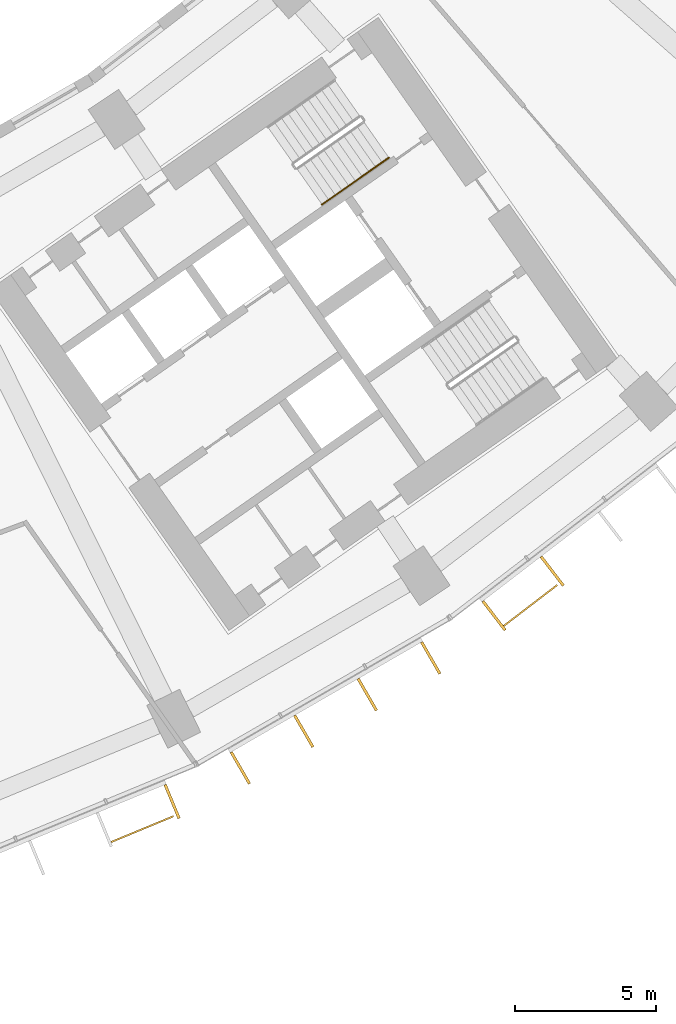
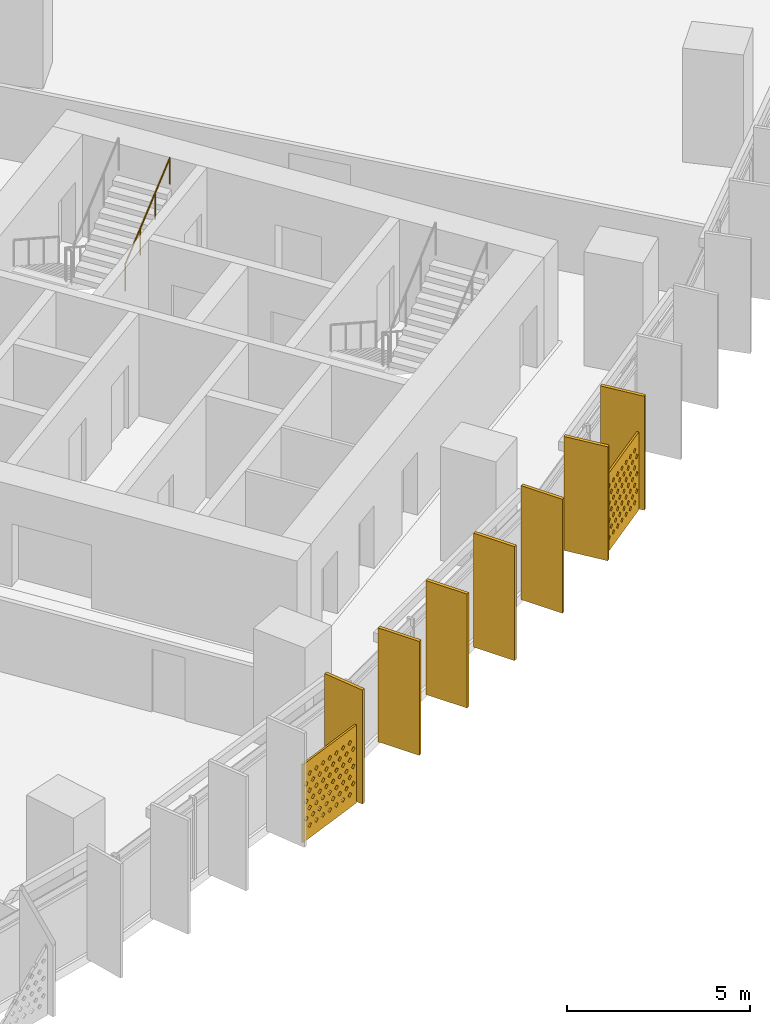
# One storey, part 29 of 31: 9 shading devices, 1 railing.
"""IFC4 building model written with IfcOpenShell, lengths in metres."""

from ifc_helpers import new_model, si_unit, direction, frame, origin, origin_2d, place, context, subcontext, project, spatial, polyline, rectangle, circle, outline, extrude, material, material_profile, profile_set, type_object, element, save


model = new_model("IFC4")

# Units and contexts
model_context = context("Model", 3, precision=1e-05, world=origin(), true_north=direction((0.0, 1.0)))
body_context = subcontext(model_context, "Body", "Model", "MODEL_VIEW")
ifc_project = project(units=[si_unit("LENGTHUNIT", "METRE"), si_unit("AREAUNIT", "SQUARE_METRE"), si_unit("VOLUMEUNIT", "CUBIC_METRE"), si_unit("PLANEANGLEUNIT", "RADIAN"), si_unit("MASSUNIT", "GRAM", prefix="KILO")], contexts=[model_context])

# Site, building, storey
site_placement = place(None, origin())
site = spatial("IfcSite", under=ifc_project, at=site_placement, CompositionType="ELEMENT")
building_placement = place(site_placement, origin())
building = spatial("IfcBuilding", under=site, at=building_placement, Name="Qamariyya Broadcast Tower", CompositionType="ELEMENT")
storey_placement = place(building_placement, frame((0.0, 0.0, 86.10009765625)))
storey = spatial("IfcBuildingStorey", under=building, at=storey_placement, Name="L18", CompositionType="ELEMENT", Elevation=86.10009765625)

# Shading devices
ifc_material_1 = material(Name="Perforated glazed terracotta", Category="masonry")
ifc_material_profile_1 = material_profile(ifc_material_1, outline(polyline([(-1.199951171875, -1.300048828125), (1.199951171875, -1.300048828125), (1.199951171875, 1.300048828125), (-1.199951171875, 1.300048828125), (-1.199951171875, -1.300048828125)]), holes=[polyline([(-0.81494140625, -0.86669921875), (-0.89990234375, -0.78173828125), (-0.985107421875, -0.86669921875), (-0.89990234375, -0.95166015625), (-0.81494140625, -0.86669921875)]), polyline([(-0.514892578125, -0.86669921875), (-0.60009765625, -0.78173828125), (-0.68505859375, -0.86669921875), (-0.60009765625, -0.95166015625), (-0.514892578125, -0.86669921875)]), polyline([(-0.215087890625, -0.86669921875), (-0.300048828125, -0.78173828125), (-0.385009765625, -0.86669921875), (-0.300048828125, -0.95166015625), (-0.215087890625, -0.86669921875)]), polyline([(0.0849609375, -0.86669921875), (0.0, -0.78173828125), (-0.0849609375, -0.86669921875), (0.0, -0.95166015625), (0.0849609375, -0.86669921875)]), polyline([(0.385009765625, -0.86669921875), (0.300048828125, -0.78173828125), (0.215087890625, -0.86669921875), (0.300048828125, -0.95166015625), (0.385009765625, -0.86669921875)]), polyline([(0.68505859375, -0.86669921875), (0.60009765625, -0.78173828125), (0.514892578125, -0.86669921875), (0.60009765625, -0.95166015625), (0.68505859375, -0.86669921875)]), polyline([(0.985107421875, -0.86669921875), (0.89990234375, -0.78173828125), (0.81494140625, -0.86669921875), (0.89990234375, -0.95166015625), (0.985107421875, -0.86669921875)]), polyline([(-0.965087890625, -0.577880859375), (-1.050048828125, -0.49267578125), (-1.135009765625, -0.577880859375), (-1.050048828125, -0.662841796875), (-0.965087890625, -0.577880859375)]), polyline([(-0.6650390625, -0.577880859375), (-0.75, -0.49267578125), (-0.8349609375, -0.577880859375), (-0.75, -0.662841796875), (-0.6650390625, -0.577880859375)]), polyline([(-0.364990234375, -0.577880859375), (-0.449951171875, -0.49267578125), (-0.534912109375, -0.577880859375), (-0.449951171875, -0.662841796875), (-0.364990234375, -0.577880859375)]), polyline([(-0.06494140625, -0.577880859375), (-0.14990234375, -0.49267578125), (-0.235107421875, -0.577880859375), (-0.14990234375, -0.662841796875), (-0.06494140625, -0.577880859375)]), polyline([(0.235107421875, -0.577880859375), (0.14990234375, -0.49267578125), (0.06494140625, -0.577880859375), (0.14990234375, -0.662841796875), (0.235107421875, -0.577880859375)]), polyline([(0.534912109375, -0.577880859375), (0.449951171875, -0.49267578125), (0.364990234375, -0.577880859375), (0.449951171875, -0.662841796875), (0.534912109375, -0.577880859375)]), polyline([(0.8349609375, -0.577880859375), (0.75, -0.49267578125), (0.6650390625, -0.577880859375), (0.75, -0.662841796875), (0.8349609375, -0.577880859375)]), polyline([(1.135009765625, -0.577880859375), (1.050048828125, -0.49267578125), (0.965087890625, -0.577880859375), (1.050048828125, -0.662841796875), (1.135009765625, -0.577880859375)]), polyline([(-0.81494140625, -0.288818359375), (-0.89990234375, -0.203857421875), (-0.985107421875, -0.288818359375), (-0.89990234375, -0.373779296875), (-0.81494140625, -0.288818359375)]), polyline([(-0.514892578125, -0.288818359375), (-0.60009765625, -0.203857421875), (-0.68505859375, -0.288818359375), (-0.60009765625, -0.373779296875), (-0.514892578125, -0.288818359375)]), polyline([(-0.215087890625, -0.288818359375), (-0.300048828125, -0.203857421875), (-0.385009765625, -0.288818359375), (-0.300048828125, -0.373779296875), (-0.215087890625, -0.288818359375)]), polyline([(0.0849609375, -0.288818359375), (0.0, -0.203857421875), (-0.0849609375, -0.288818359375), (0.0, -0.373779296875), (0.0849609375, -0.288818359375)]), polyline([(0.385009765625, -0.288818359375), (0.300048828125, -0.203857421875), (0.215087890625, -0.288818359375), (0.300048828125, -0.373779296875), (0.385009765625, -0.288818359375)]), polyline([(0.68505859375, -0.288818359375), (0.60009765625, -0.203857421875), (0.514892578125, -0.288818359375), (0.60009765625, -0.373779296875), (0.68505859375, -0.288818359375)]), polyline([(0.985107421875, -0.288818359375), (0.89990234375, -0.203857421875), (0.81494140625, -0.288818359375), (0.89990234375, -0.373779296875), (0.985107421875, -0.288818359375)]), polyline([(-0.965087890625, 0.0), (-1.050048828125, 0.0849609375), (-1.135009765625, 0.0), (-1.050048828125, -0.0849609375), (-0.965087890625, 0.0)]), polyline([(-0.6650390625, 0.0), (-0.75, 0.0849609375), (-0.8349609375, 0.0), (-0.75, -0.0849609375), (-0.6650390625, 0.0)]), polyline([(-0.364990234375, 0.0), (-0.449951171875, 0.0849609375), (-0.534912109375, 0.0), (-0.449951171875, -0.0849609375), (-0.364990234375, 0.0)]), polyline([(-0.06494140625, 0.0), (-0.14990234375, 0.0849609375), (-0.235107421875, 0.0), (-0.14990234375, -0.0849609375), (-0.06494140625, 0.0)]), polyline([(0.235107421875, 0.0), (0.14990234375, 0.0849609375), (0.06494140625, 0.0), (0.14990234375, -0.0849609375), (0.235107421875, 0.0)]), polyline([(0.534912109375, 0.0), (0.449951171875, 0.0849609375), (0.364990234375, 0.0), (0.449951171875, -0.0849609375), (0.534912109375, 0.0)]), polyline([(0.8349609375, 0.0), (0.75, 0.0849609375), (0.6650390625, 0.0), (0.75, -0.0849609375), (0.8349609375, 0.0)]), polyline([(1.135009765625, 0.0), (1.050048828125, 0.0849609375), (0.965087890625, 0.0), (1.050048828125, -0.0849609375), (1.135009765625, 0.0)]), polyline([(-0.81494140625, 0.288818359375), (-0.89990234375, 0.373779296875), (-0.985107421875, 0.288818359375), (-0.89990234375, 0.203857421875), (-0.81494140625, 0.288818359375)]), polyline([(-0.514892578125, 0.288818359375), (-0.60009765625, 0.373779296875), (-0.68505859375, 0.288818359375), (-0.60009765625, 0.203857421875), (-0.514892578125, 0.288818359375)]), polyline([(-0.215087890625, 0.288818359375), (-0.300048828125, 0.373779296875), (-0.385009765625, 0.288818359375), (-0.300048828125, 0.203857421875), (-0.215087890625, 0.288818359375)]), polyline([(0.0849609375, 0.288818359375), (0.0, 0.373779296875), (-0.0849609375, 0.288818359375), (0.0, 0.203857421875), (0.0849609375, 0.288818359375)]), polyline([(0.385009765625, 0.288818359375), (0.300048828125, 0.373779296875), (0.215087890625, 0.288818359375), (0.300048828125, 0.203857421875), (0.385009765625, 0.288818359375)]), polyline([(0.68505859375, 0.288818359375), (0.60009765625, 0.373779296875), (0.514892578125, 0.288818359375), (0.60009765625, 0.203857421875), (0.68505859375, 0.288818359375)]), polyline([(0.985107421875, 0.288818359375), (0.89990234375, 0.373779296875), (0.81494140625, 0.288818359375), (0.89990234375, 0.203857421875), (0.985107421875, 0.288818359375)]), polyline([(-0.965087890625, 0.577880859375), (-1.050048828125, 0.662841796875), (-1.135009765625, 0.577880859375), (-1.050048828125, 0.49267578125), (-0.965087890625, 0.577880859375)]), polyline([(-0.6650390625, 0.577880859375), (-0.75, 0.662841796875), (-0.8349609375, 0.577880859375), (-0.75, 0.49267578125), (-0.6650390625, 0.577880859375)]), polyline([(-0.364990234375, 0.577880859375), (-0.449951171875, 0.662841796875), (-0.534912109375, 0.577880859375), (-0.449951171875, 0.49267578125), (-0.364990234375, 0.577880859375)]), polyline([(-0.06494140625, 0.577880859375), (-0.14990234375, 0.662841796875), (-0.235107421875, 0.577880859375), (-0.14990234375, 0.49267578125), (-0.06494140625, 0.577880859375)]), polyline([(0.235107421875, 0.577880859375), (0.14990234375, 0.662841796875), (0.06494140625, 0.577880859375), (0.14990234375, 0.49267578125), (0.235107421875, 0.577880859375)]), polyline([(0.534912109375, 0.577880859375), (0.449951171875, 0.662841796875), (0.364990234375, 0.577880859375), (0.449951171875, 0.49267578125), (0.534912109375, 0.577880859375)]), polyline([(0.8349609375, 0.577880859375), (0.75, 0.662841796875), (0.6650390625, 0.577880859375), (0.75, 0.49267578125), (0.8349609375, 0.577880859375)]), polyline([(1.135009765625, 0.577880859375), (1.050048828125, 0.662841796875), (0.965087890625, 0.577880859375), (1.050048828125, 0.49267578125), (1.135009765625, 0.577880859375)]), polyline([(-0.81494140625, 0.86669921875), (-0.89990234375, 0.95166015625), (-0.985107421875, 0.86669921875), (-0.89990234375, 0.78173828125), (-0.81494140625, 0.86669921875)]), polyline([(-0.514892578125, 0.86669921875), (-0.60009765625, 0.95166015625), (-0.68505859375, 0.86669921875), (-0.60009765625, 0.78173828125), (-0.514892578125, 0.86669921875)]), polyline([(-0.215087890625, 0.86669921875), (-0.300048828125, 0.95166015625), (-0.385009765625, 0.86669921875), (-0.300048828125, 0.78173828125), (-0.215087890625, 0.86669921875)]), polyline([(0.0849609375, 0.86669921875), (0.0, 0.95166015625), (-0.0849609375, 0.86669921875), (0.0, 0.78173828125), (0.0849609375, 0.86669921875)]), polyline([(0.385009765625, 0.86669921875), (0.300048828125, 0.95166015625), (0.215087890625, 0.86669921875), (0.300048828125, 0.78173828125), (0.385009765625, 0.86669921875)]), polyline([(0.68505859375, 0.86669921875), (0.60009765625, 0.95166015625), (0.514892578125, 0.86669921875), (0.60009765625, 0.78173828125), (0.68505859375, 0.86669921875)]), polyline([(0.985107421875, 0.86669921875), (0.89990234375, 0.95166015625), (0.81494140625, 0.86669921875), (0.89990234375, 0.78173828125), (0.985107421875, 0.86669921875)])]))
ifc_profile_set_1 = profile_set([ifc_material_profile_1], Name="Perforated glazed terracotta")
shading_device_type_1 = type_object("IfcShadingDeviceType", Name="Perforated terracotta screen 2400 x 2600", PredefinedType="USERDEFINED", material=ifc_profile_set_1)
shading_device_1_placement = place(storey_placement, frame((33.259521484375, -73.6259765625, 1.349853515625), z_axis=(0.382591441855, -0.923917630863, 0.0), x_axis=(0.923917630863, 0.382591441855, 0.0)))
element("IfcShadingDevice", 1, at=shading_device_1_placement, inside=storey, type_object=shading_device_type_1, Name="e-scr-L18-11-2", ObjectType="SCREEN", PredefinedType="USERDEFINED", context=body_context, shape_type="SweptSolid", body=[
    extrude(outline(polyline([(-1.199951171875, -1.300048828125), (1.199951171875, -1.300048828125), (1.199951171875, 1.300048828125), (-1.199951171875, 1.300048828125), (-1.199951171875, -1.300048828125)]), holes=[polyline([(-0.81494140625, -0.86669921875), (-0.89990234375, -0.78173828125), (-0.985107421875, -0.86669921875), (-0.89990234375, -0.95166015625), (-0.81494140625, -0.86669921875)]), polyline([(-0.514892578125, -0.86669921875), (-0.60009765625, -0.78173828125), (-0.68505859375, -0.86669921875), (-0.60009765625, -0.95166015625), (-0.514892578125, -0.86669921875)]), polyline([(-0.215087890625, -0.86669921875), (-0.300048828125, -0.78173828125), (-0.385009765625, -0.86669921875), (-0.300048828125, -0.95166015625), (-0.215087890625, -0.86669921875)]), polyline([(0.0849609375, -0.86669921875), (0.0, -0.78173828125), (-0.0849609375, -0.86669921875), (0.0, -0.95166015625), (0.0849609375, -0.86669921875)]), polyline([(0.385009765625, -0.86669921875), (0.300048828125, -0.78173828125), (0.215087890625, -0.86669921875), (0.300048828125, -0.95166015625), (0.385009765625, -0.86669921875)]), polyline([(0.68505859375, -0.86669921875), (0.60009765625, -0.78173828125), (0.514892578125, -0.86669921875), (0.60009765625, -0.95166015625), (0.68505859375, -0.86669921875)]), polyline([(0.985107421875, -0.86669921875), (0.89990234375, -0.78173828125), (0.81494140625, -0.86669921875), (0.89990234375, -0.95166015625), (0.985107421875, -0.86669921875)]), polyline([(-0.965087890625, -0.577880859375), (-1.050048828125, -0.49267578125), (-1.135009765625, -0.577880859375), (-1.050048828125, -0.662841796875), (-0.965087890625, -0.577880859375)]), polyline([(-0.6650390625, -0.577880859375), (-0.75, -0.49267578125), (-0.8349609375, -0.577880859375), (-0.75, -0.662841796875), (-0.6650390625, -0.577880859375)]), polyline([(-0.364990234375, -0.577880859375), (-0.449951171875, -0.49267578125), (-0.534912109375, -0.577880859375), (-0.449951171875, -0.662841796875), (-0.364990234375, -0.577880859375)]), polyline([(-0.06494140625, -0.577880859375), (-0.14990234375, -0.49267578125), (-0.235107421875, -0.577880859375), (-0.14990234375, -0.662841796875), (-0.06494140625, -0.577880859375)]), polyline([(0.235107421875, -0.577880859375), (0.14990234375, -0.49267578125), (0.06494140625, -0.577880859375), (0.14990234375, -0.662841796875), (0.235107421875, -0.577880859375)]), polyline([(0.534912109375, -0.577880859375), (0.449951171875, -0.49267578125), (0.364990234375, -0.577880859375), (0.449951171875, -0.662841796875), (0.534912109375, -0.577880859375)]), polyline([(0.8349609375, -0.577880859375), (0.75, -0.49267578125), (0.6650390625, -0.577880859375), (0.75, -0.662841796875), (0.8349609375, -0.577880859375)]), polyline([(1.135009765625, -0.577880859375), (1.050048828125, -0.49267578125), (0.965087890625, -0.577880859375), (1.050048828125, -0.662841796875), (1.135009765625, -0.577880859375)]), polyline([(-0.81494140625, -0.288818359375), (-0.89990234375, -0.203857421875), (-0.985107421875, -0.288818359375), (-0.89990234375, -0.373779296875), (-0.81494140625, -0.288818359375)]), polyline([(-0.514892578125, -0.288818359375), (-0.60009765625, -0.203857421875), (-0.68505859375, -0.288818359375), (-0.60009765625, -0.373779296875), (-0.514892578125, -0.288818359375)]), polyline([(-0.215087890625, -0.288818359375), (-0.300048828125, -0.203857421875), (-0.385009765625, -0.288818359375), (-0.300048828125, -0.373779296875), (-0.215087890625, -0.288818359375)]), polyline([(0.0849609375, -0.288818359375), (0.0, -0.203857421875), (-0.0849609375, -0.288818359375), (0.0, -0.373779296875), (0.0849609375, -0.288818359375)]), polyline([(0.385009765625, -0.288818359375), (0.300048828125, -0.203857421875), (0.215087890625, -0.288818359375), (0.300048828125, -0.373779296875), (0.385009765625, -0.288818359375)]), polyline([(0.68505859375, -0.288818359375), (0.60009765625, -0.203857421875), (0.514892578125, -0.288818359375), (0.60009765625, -0.373779296875), (0.68505859375, -0.288818359375)]), polyline([(0.985107421875, -0.288818359375), (0.89990234375, -0.203857421875), (0.81494140625, -0.288818359375), (0.89990234375, -0.373779296875), (0.985107421875, -0.288818359375)]), polyline([(-0.965087890625, 0.0), (-1.050048828125, 0.0849609375), (-1.135009765625, 0.0), (-1.050048828125, -0.0849609375), (-0.965087890625, 0.0)]), polyline([(-0.6650390625, 0.0), (-0.75, 0.0849609375), (-0.8349609375, 0.0), (-0.75, -0.0849609375), (-0.6650390625, 0.0)]), polyline([(-0.364990234375, 0.0), (-0.449951171875, 0.0849609375), (-0.534912109375, 0.0), (-0.449951171875, -0.0849609375), (-0.364990234375, 0.0)]), polyline([(-0.06494140625, 0.0), (-0.14990234375, 0.0849609375), (-0.235107421875, 0.0), (-0.14990234375, -0.0849609375), (-0.06494140625, 0.0)]), polyline([(0.235107421875, 0.0), (0.14990234375, 0.0849609375), (0.06494140625, 0.0), (0.14990234375, -0.0849609375), (0.235107421875, 0.0)]), polyline([(0.534912109375, 0.0), (0.449951171875, 0.0849609375), (0.364990234375, 0.0), (0.449951171875, -0.0849609375), (0.534912109375, 0.0)]), polyline([(0.8349609375, 0.0), (0.75, 0.0849609375), (0.6650390625, 0.0), (0.75, -0.0849609375), (0.8349609375, 0.0)]), polyline([(1.135009765625, 0.0), (1.050048828125, 0.0849609375), (0.965087890625, 0.0), (1.050048828125, -0.0849609375), (1.135009765625, 0.0)]), polyline([(-0.81494140625, 0.288818359375), (-0.89990234375, 0.373779296875), (-0.985107421875, 0.288818359375), (-0.89990234375, 0.203857421875), (-0.81494140625, 0.288818359375)]), polyline([(-0.514892578125, 0.288818359375), (-0.60009765625, 0.373779296875), (-0.68505859375, 0.288818359375), (-0.60009765625, 0.203857421875), (-0.514892578125, 0.288818359375)]), polyline([(-0.215087890625, 0.288818359375), (-0.300048828125, 0.373779296875), (-0.385009765625, 0.288818359375), (-0.300048828125, 0.203857421875), (-0.215087890625, 0.288818359375)]), polyline([(0.0849609375, 0.288818359375), (0.0, 0.373779296875), (-0.0849609375, 0.288818359375), (0.0, 0.203857421875), (0.0849609375, 0.288818359375)]), polyline([(0.385009765625, 0.288818359375), (0.300048828125, 0.373779296875), (0.215087890625, 0.288818359375), (0.300048828125, 0.203857421875), (0.385009765625, 0.288818359375)]), polyline([(0.68505859375, 0.288818359375), (0.60009765625, 0.373779296875), (0.514892578125, 0.288818359375), (0.60009765625, 0.203857421875), (0.68505859375, 0.288818359375)]), polyline([(0.985107421875, 0.288818359375), (0.89990234375, 0.373779296875), (0.81494140625, 0.288818359375), (0.89990234375, 0.203857421875), (0.985107421875, 0.288818359375)]), polyline([(-0.965087890625, 0.577880859375), (-1.050048828125, 0.662841796875), (-1.135009765625, 0.577880859375), (-1.050048828125, 0.49267578125), (-0.965087890625, 0.577880859375)]), polyline([(-0.6650390625, 0.577880859375), (-0.75, 0.662841796875), (-0.8349609375, 0.577880859375), (-0.75, 0.49267578125), (-0.6650390625, 0.577880859375)]), polyline([(-0.364990234375, 0.577880859375), (-0.449951171875, 0.662841796875), (-0.534912109375, 0.577880859375), (-0.449951171875, 0.49267578125), (-0.364990234375, 0.577880859375)]), polyline([(-0.06494140625, 0.577880859375), (-0.14990234375, 0.662841796875), (-0.235107421875, 0.577880859375), (-0.14990234375, 0.49267578125), (-0.06494140625, 0.577880859375)]), polyline([(0.235107421875, 0.577880859375), (0.14990234375, 0.662841796875), (0.06494140625, 0.577880859375), (0.14990234375, 0.49267578125), (0.235107421875, 0.577880859375)]), polyline([(0.534912109375, 0.577880859375), (0.449951171875, 0.662841796875), (0.364990234375, 0.577880859375), (0.449951171875, 0.49267578125), (0.534912109375, 0.577880859375)]), polyline([(0.8349609375, 0.577880859375), (0.75, 0.662841796875), (0.6650390625, 0.577880859375), (0.75, 0.49267578125), (0.8349609375, 0.577880859375)]), polyline([(1.135009765625, 0.577880859375), (1.050048828125, 0.662841796875), (0.965087890625, 0.577880859375), (1.050048828125, 0.49267578125), (1.135009765625, 0.577880859375)]), polyline([(-0.81494140625, 0.86669921875), (-0.89990234375, 0.95166015625), (-0.985107421875, 0.86669921875), (-0.89990234375, 0.78173828125), (-0.81494140625, 0.86669921875)]), polyline([(-0.514892578125, 0.86669921875), (-0.60009765625, 0.95166015625), (-0.68505859375, 0.86669921875), (-0.60009765625, 0.78173828125), (-0.514892578125, 0.86669921875)]), polyline([(-0.215087890625, 0.86669921875), (-0.300048828125, 0.95166015625), (-0.385009765625, 0.86669921875), (-0.300048828125, 0.78173828125), (-0.215087890625, 0.86669921875)]), polyline([(0.0849609375, 0.86669921875), (0.0, 0.95166015625), (-0.0849609375, 0.86669921875), (0.0, 0.78173828125), (0.0849609375, 0.86669921875)]), polyline([(0.385009765625, 0.86669921875), (0.300048828125, 0.95166015625), (0.215087890625, 0.86669921875), (0.300048828125, 0.78173828125), (0.385009765625, 0.86669921875)]), polyline([(0.68505859375, 0.86669921875), (0.60009765625, 0.95166015625), (0.514892578125, 0.86669921875), (0.60009765625, 0.78173828125), (0.68505859375, 0.86669921875)]), polyline([(0.985107421875, 0.86669921875), (0.89990234375, 0.95166015625), (0.81494140625, 0.86669921875), (0.89990234375, 0.78173828125), (0.985107421875, 0.86669921875)])]), origin(), (0.0, 0.0, 1.0), 0.06005859375),
])
shading_device_2_placement = place(storey_placement, frame((47.04931640625, -65.680419921875, 1.349853515625), z_axis=(0.607147566278, -0.794589096806, 0.0), x_axis=(0.794589096806, 0.607147566278, 0.0)))
element("IfcShadingDevice", 2, at=shading_device_2_placement, inside=storey, type_object=shading_device_type_1, Name="e-scr-L18-13-0", ObjectType="SCREEN", PredefinedType="USERDEFINED", context=body_context, shape_type="SweptSolid", body=[
    extrude(outline(polyline([(-1.199951171875, -1.300048828125), (1.199951171875, -1.300048828125), (1.199951171875, 1.300048828125), (-1.199951171875, 1.300048828125), (-1.199951171875, -1.300048828125)]), holes=[polyline([(-0.81494140625, -0.86669921875), (-0.89990234375, -0.78173828125), (-0.985107421875, -0.86669921875), (-0.89990234375, -0.95166015625), (-0.81494140625, -0.86669921875)]), polyline([(-0.514892578125, -0.86669921875), (-0.60009765625, -0.78173828125), (-0.68505859375, -0.86669921875), (-0.60009765625, -0.95166015625), (-0.514892578125, -0.86669921875)]), polyline([(-0.215087890625, -0.86669921875), (-0.300048828125, -0.78173828125), (-0.385009765625, -0.86669921875), (-0.300048828125, -0.95166015625), (-0.215087890625, -0.86669921875)]), polyline([(0.0849609375, -0.86669921875), (0.0, -0.78173828125), (-0.0849609375, -0.86669921875), (0.0, -0.95166015625), (0.0849609375, -0.86669921875)]), polyline([(0.385009765625, -0.86669921875), (0.300048828125, -0.78173828125), (0.215087890625, -0.86669921875), (0.300048828125, -0.95166015625), (0.385009765625, -0.86669921875)]), polyline([(0.68505859375, -0.86669921875), (0.60009765625, -0.78173828125), (0.514892578125, -0.86669921875), (0.60009765625, -0.95166015625), (0.68505859375, -0.86669921875)]), polyline([(0.985107421875, -0.86669921875), (0.89990234375, -0.78173828125), (0.81494140625, -0.86669921875), (0.89990234375, -0.95166015625), (0.985107421875, -0.86669921875)]), polyline([(-0.965087890625, -0.577880859375), (-1.050048828125, -0.49267578125), (-1.135009765625, -0.577880859375), (-1.050048828125, -0.662841796875), (-0.965087890625, -0.577880859375)]), polyline([(-0.6650390625, -0.577880859375), (-0.75, -0.49267578125), (-0.8349609375, -0.577880859375), (-0.75, -0.662841796875), (-0.6650390625, -0.577880859375)]), polyline([(-0.364990234375, -0.577880859375), (-0.449951171875, -0.49267578125), (-0.534912109375, -0.577880859375), (-0.449951171875, -0.662841796875), (-0.364990234375, -0.577880859375)]), polyline([(-0.06494140625, -0.577880859375), (-0.14990234375, -0.49267578125), (-0.235107421875, -0.577880859375), (-0.14990234375, -0.662841796875), (-0.06494140625, -0.577880859375)]), polyline([(0.235107421875, -0.577880859375), (0.14990234375, -0.49267578125), (0.06494140625, -0.577880859375), (0.14990234375, -0.662841796875), (0.235107421875, -0.577880859375)]), polyline([(0.534912109375, -0.577880859375), (0.449951171875, -0.49267578125), (0.364990234375, -0.577880859375), (0.449951171875, -0.662841796875), (0.534912109375, -0.577880859375)]), polyline([(0.8349609375, -0.577880859375), (0.75, -0.49267578125), (0.6650390625, -0.577880859375), (0.75, -0.662841796875), (0.8349609375, -0.577880859375)]), polyline([(1.135009765625, -0.577880859375), (1.050048828125, -0.49267578125), (0.965087890625, -0.577880859375), (1.050048828125, -0.662841796875), (1.135009765625, -0.577880859375)]), polyline([(-0.81494140625, -0.288818359375), (-0.89990234375, -0.203857421875), (-0.985107421875, -0.288818359375), (-0.89990234375, -0.373779296875), (-0.81494140625, -0.288818359375)]), polyline([(-0.514892578125, -0.288818359375), (-0.60009765625, -0.203857421875), (-0.68505859375, -0.288818359375), (-0.60009765625, -0.373779296875), (-0.514892578125, -0.288818359375)]), polyline([(-0.215087890625, -0.288818359375), (-0.300048828125, -0.203857421875), (-0.385009765625, -0.288818359375), (-0.300048828125, -0.373779296875), (-0.215087890625, -0.288818359375)]), polyline([(0.0849609375, -0.288818359375), (0.0, -0.203857421875), (-0.0849609375, -0.288818359375), (0.0, -0.373779296875), (0.0849609375, -0.288818359375)]), polyline([(0.385009765625, -0.288818359375), (0.300048828125, -0.203857421875), (0.215087890625, -0.288818359375), (0.300048828125, -0.373779296875), (0.385009765625, -0.288818359375)]), polyline([(0.68505859375, -0.288818359375), (0.60009765625, -0.203857421875), (0.514892578125, -0.288818359375), (0.60009765625, -0.373779296875), (0.68505859375, -0.288818359375)]), polyline([(0.985107421875, -0.288818359375), (0.89990234375, -0.203857421875), (0.81494140625, -0.288818359375), (0.89990234375, -0.373779296875), (0.985107421875, -0.288818359375)]), polyline([(-0.965087890625, 0.0), (-1.050048828125, 0.0849609375), (-1.135009765625, 0.0), (-1.050048828125, -0.0849609375), (-0.965087890625, 0.0)]), polyline([(-0.6650390625, 0.0), (-0.75, 0.0849609375), (-0.8349609375, 0.0), (-0.75, -0.0849609375), (-0.6650390625, 0.0)]), polyline([(-0.364990234375, 0.0), (-0.449951171875, 0.0849609375), (-0.534912109375, 0.0), (-0.449951171875, -0.0849609375), (-0.364990234375, 0.0)]), polyline([(-0.06494140625, 0.0), (-0.14990234375, 0.0849609375), (-0.235107421875, 0.0), (-0.14990234375, -0.0849609375), (-0.06494140625, 0.0)]), polyline([(0.235107421875, 0.0), (0.14990234375, 0.0849609375), (0.06494140625, 0.0), (0.14990234375, -0.0849609375), (0.235107421875, 0.0)]), polyline([(0.534912109375, 0.0), (0.449951171875, 0.0849609375), (0.364990234375, 0.0), (0.449951171875, -0.0849609375), (0.534912109375, 0.0)]), polyline([(0.8349609375, 0.0), (0.75, 0.0849609375), (0.6650390625, 0.0), (0.75, -0.0849609375), (0.8349609375, 0.0)]), polyline([(1.135009765625, 0.0), (1.050048828125, 0.0849609375), (0.965087890625, 0.0), (1.050048828125, -0.0849609375), (1.135009765625, 0.0)]), polyline([(-0.81494140625, 0.288818359375), (-0.89990234375, 0.373779296875), (-0.985107421875, 0.288818359375), (-0.89990234375, 0.203857421875), (-0.81494140625, 0.288818359375)]), polyline([(-0.514892578125, 0.288818359375), (-0.60009765625, 0.373779296875), (-0.68505859375, 0.288818359375), (-0.60009765625, 0.203857421875), (-0.514892578125, 0.288818359375)]), polyline([(-0.215087890625, 0.288818359375), (-0.300048828125, 0.373779296875), (-0.385009765625, 0.288818359375), (-0.300048828125, 0.203857421875), (-0.215087890625, 0.288818359375)]), polyline([(0.0849609375, 0.288818359375), (0.0, 0.373779296875), (-0.0849609375, 0.288818359375), (0.0, 0.203857421875), (0.0849609375, 0.288818359375)]), polyline([(0.385009765625, 0.288818359375), (0.300048828125, 0.373779296875), (0.215087890625, 0.288818359375), (0.300048828125, 0.203857421875), (0.385009765625, 0.288818359375)]), polyline([(0.68505859375, 0.288818359375), (0.60009765625, 0.373779296875), (0.514892578125, 0.288818359375), (0.60009765625, 0.203857421875), (0.68505859375, 0.288818359375)]), polyline([(0.985107421875, 0.288818359375), (0.89990234375, 0.373779296875), (0.81494140625, 0.288818359375), (0.89990234375, 0.203857421875), (0.985107421875, 0.288818359375)]), polyline([(-0.965087890625, 0.577880859375), (-1.050048828125, 0.662841796875), (-1.135009765625, 0.577880859375), (-1.050048828125, 0.49267578125), (-0.965087890625, 0.577880859375)]), polyline([(-0.6650390625, 0.577880859375), (-0.75, 0.662841796875), (-0.8349609375, 0.577880859375), (-0.75, 0.49267578125), (-0.6650390625, 0.577880859375)]), polyline([(-0.364990234375, 0.577880859375), (-0.449951171875, 0.662841796875), (-0.534912109375, 0.577880859375), (-0.449951171875, 0.49267578125), (-0.364990234375, 0.577880859375)]), polyline([(-0.06494140625, 0.577880859375), (-0.14990234375, 0.662841796875), (-0.235107421875, 0.577880859375), (-0.14990234375, 0.49267578125), (-0.06494140625, 0.577880859375)]), polyline([(0.235107421875, 0.577880859375), (0.14990234375, 0.662841796875), (0.06494140625, 0.577880859375), (0.14990234375, 0.49267578125), (0.235107421875, 0.577880859375)]), polyline([(0.534912109375, 0.577880859375), (0.449951171875, 0.662841796875), (0.364990234375, 0.577880859375), (0.449951171875, 0.49267578125), (0.534912109375, 0.577880859375)]), polyline([(0.8349609375, 0.577880859375), (0.75, 0.662841796875), (0.6650390625, 0.577880859375), (0.75, 0.49267578125), (0.8349609375, 0.577880859375)]), polyline([(1.135009765625, 0.577880859375), (1.050048828125, 0.662841796875), (0.965087890625, 0.577880859375), (1.050048828125, 0.49267578125), (1.135009765625, 0.577880859375)]), polyline([(-0.81494140625, 0.86669921875), (-0.89990234375, 0.95166015625), (-0.985107421875, 0.86669921875), (-0.89990234375, 0.78173828125), (-0.81494140625, 0.86669921875)]), polyline([(-0.514892578125, 0.86669921875), (-0.60009765625, 0.95166015625), (-0.68505859375, 0.86669921875), (-0.60009765625, 0.78173828125), (-0.514892578125, 0.86669921875)]), polyline([(-0.215087890625, 0.86669921875), (-0.300048828125, 0.95166015625), (-0.385009765625, 0.86669921875), (-0.300048828125, 0.78173828125), (-0.215087890625, 0.86669921875)]), polyline([(0.0849609375, 0.86669921875), (0.0, 0.95166015625), (-0.0849609375, 0.86669921875), (0.0, 0.78173828125), (0.0849609375, 0.86669921875)]), polyline([(0.385009765625, 0.86669921875), (0.300048828125, 0.95166015625), (0.215087890625, 0.86669921875), (0.300048828125, 0.78173828125), (0.385009765625, 0.86669921875)]), polyline([(0.68505859375, 0.86669921875), (0.60009765625, 0.95166015625), (0.514892578125, 0.86669921875), (0.60009765625, 0.78173828125), (0.68505859375, 0.86669921875)]), polyline([(0.985107421875, 0.86669921875), (0.89990234375, 0.95166015625), (0.81494140625, 0.86669921875), (0.89990234375, 0.78173828125), (0.985107421875, 0.86669921875)])]), origin(), (0.0, 0.0, 1.0), 0.059814453125),
])

# Railing
ifc_material_2 = material(Name="Stainless steel", Category="steel")
railing_type = type_object("IfcRailingType", Name="Stair handrail", PredefinedType="HANDRAIL", material=ifc_material_2)
railing_placement = place(storey_placement, frame((39.66015625, -51.4580078125, 2.072509765625)))
element("IfcRailing", 3, at=railing_placement, inside=storey, type_object=railing_type, Name="L18 ST-E2 stair handrail 2", PredefinedType="HANDRAIL", context=body_context, shape_type="SweptSolid", body=[
    extrude(circle(Radius=0.02392578125, at=origin_2d()), frame((0.0, 0.0, 0.8759765625), z_axis=(0.703745009021, 0.492838488332, 0.511715923826), x_axis=(-0.573631830683, 0.819113253969, 0.0)), (0.0, 0.0, 1.0), 3.37548828125),
    extrude(circle(Radius=0.02099609375, at=origin_2d()), origin(), (0.0, 0.0, 1.0), 0.851806640625),
    extrude(circle(Radius=0.02099609375, at=origin_2d()), frame((0.791748046875, 0.554443359375, 0.57568359375)), (0.0, 0.0, 1.0), 0.851806640625),
    extrude(circle(Radius=0.02099609375, at=origin_2d()), frame((1.583740234375, 1.109130859375, 1.151611328125)), (0.0, 0.0, 1.0), 0.851806640625),
    extrude(circle(Radius=0.02099609375, at=origin_2d()), frame((2.37548828125, 1.66357421875, 1.727294921875)), (0.0, 0.0, 1.0), 0.851806640625),
])

# Shading devices
ifc_material_3 = material(Name="Glazed terracotta", Category="masonry")
ifc_material_profile_2 = material_profile(ifc_material_3, rectangle(XDim=1.300048828125, YDim=0.10009765625, at=origin_2d()))
ifc_profile_set_2 = profile_set([ifc_material_profile_2], Name="Glazed terracotta")
shading_device_type_2 = type_object("IfcShadingDeviceType", Name="Terracotta fin 100 x 1300", PredefinedType="USERDEFINED", material=ifc_profile_set_2)
for number, where, z_axis, x_axis, name in (
    (4, (34.331298828125, -72.67333984375, 0.0), (0.0, 0.0, 1.0), (0.382683432365, -0.923879532511, 0.0), "e-fin-L18-11-3"),
    (5, (36.756103515625, -71.4775390625, 0.0), (0.0, 0.0, 1.0), (0.5, -0.866025403784, 0.0), "e-fin-L18-12-0"),
    (6, (39.011962890625, -70.17529296875, 0.0), (0.0, 0.0, 1.0), (0.5, -0.866025403784, 0.0), "e-fin-L18-12-1"),
    (7, (41.267578125, -68.872802734375, 0.0), (0.0, 0.0, 1.0), (0.5, -0.866025403784, 0.0), "e-fin-L18-12-2"),
    (8, (43.523193359375, -67.570556640625, 0.0), (0.0, 0.0, 1.0), (0.5, -0.866025403784, 0.0), "e-fin-L18-12-3"),
    (9, (45.771484375, -66.068359375, 0.0), (0.0, 0.0, 1.0), (0.608761429009, -0.793353340291, 0.0), "e-fin-L18-13-0"),
    (10, (47.837890625, -64.48291015625, 0.0), (0.0, 0.0, 1.0), (0.608761429009, -0.793353340291, 0.0), "e-fin-L18-13-1"),
):
    element("IfcShadingDevice", number, at=place(storey_placement, frame(where, z_axis=z_axis, x_axis=x_axis)), inside=storey, type_object=shading_device_type_2, Name=name, ObjectType="FIN", PredefinedType="USERDEFINED", context=body_context, shape_type="SweptSolid", body=[
        extrude(rectangle(XDim=1.300048828125, YDim=0.10009765625, at=origin_2d()), origin(), (0.0, 0.0, 1.0), 3.7998046875),
    ])

save(model, "model.ifc")
